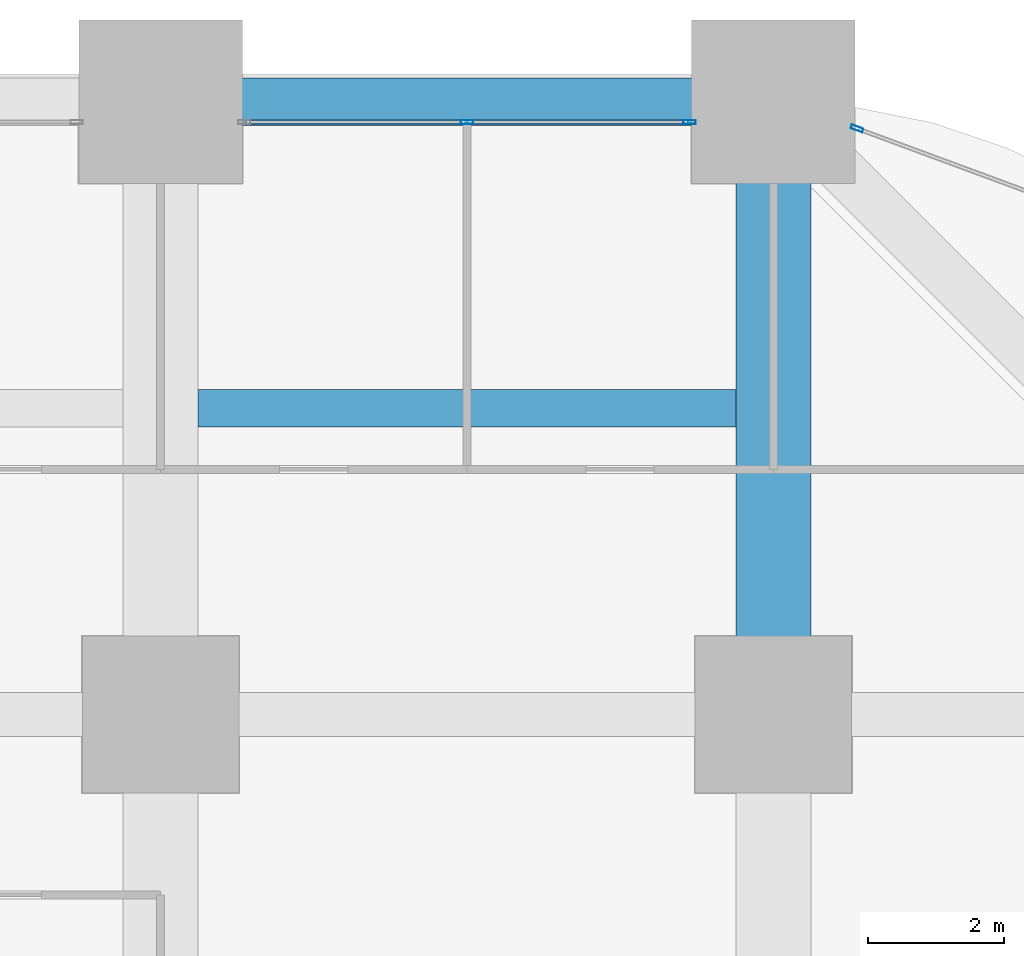
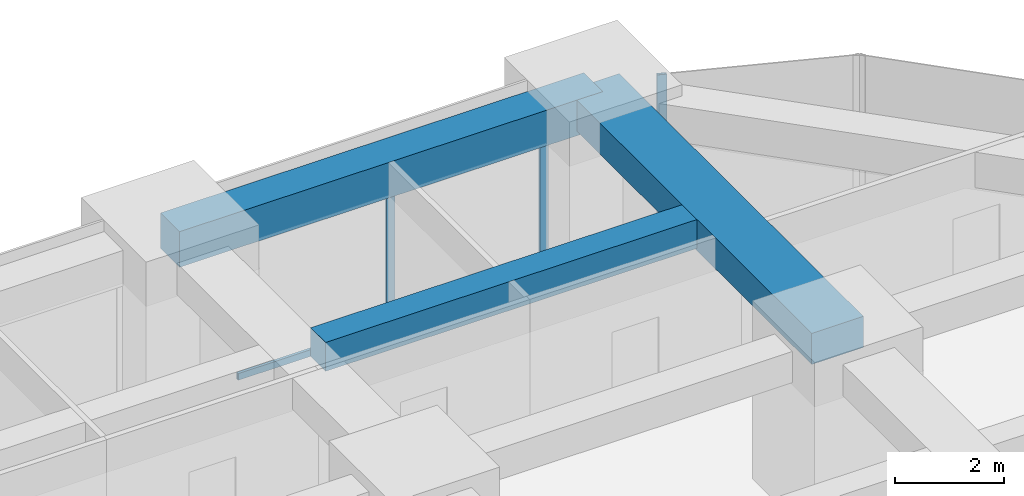
# One storey, part 36 of 44: 4 members, 3 beams, 2 elements without a shape of their own.
"""IFC4 building model written with IfcOpenShell, lengths in metres."""

from ifc_helpers import new_model, si_unit, direction, frame, origin, origin_2d, place, context, subcontext, project, spatial, rectangle, hollow_rectangle, extrude, material, material_profile, profile_set, type_object, element, aggregate, save


model = new_model("IFC4")

# Units and contexts
model_context = context("Model", 3, precision=1e-05, world=origin(), true_north=direction((0.0, 1.0)))
body_context = subcontext(model_context, "Body", "Model", "MODEL_VIEW")
ifc_project = project(units=[si_unit("LENGTHUNIT", "METRE"), si_unit("AREAUNIT", "SQUARE_METRE"), si_unit("VOLUMEUNIT", "CUBIC_METRE"), si_unit("PLANEANGLEUNIT", "RADIAN"), si_unit("MASSUNIT", "GRAM", prefix="KILO")], contexts=[model_context])

# Site, building, storey
site_placement = place(None, origin())
site = spatial("IfcSite", under=ifc_project, at=site_placement, CompositionType="ELEMENT")
building_placement = place(site_placement, origin())
building = spatial("IfcBuilding", under=site, at=building_placement, Name="Zorevar Civic Tower", CompositionType="ELEMENT")
storey_placement = place(building_placement, frame((0.0, 0.0, 43.800048828125)))
storey = spatial("IfcBuildingStorey", under=building, at=storey_placement, Name="L10", CompositionType="ELEMENT", Elevation=43.800048828125)

# Beams
ifc_material_1 = material(Name="Concrete C50/60", Category="concrete")
ifc_material_profile_1 = material_profile(ifc_material_1, rectangle(XDim=1.10009765625, YDim=0.699951171875, at=origin_2d()), Name="RC 1100x700")
ifc_profile_set_1 = profile_set([ifc_material_profile_1], Name="Concrete C50/60")
beam_type_1 = type_object("IfcBeamType", Name="Beam RC 1100x700", PredefinedType="BEAM", material=ifc_profile_set_1)
beam_1_placement = place(storey_placement, frame((54.0, 45.0, 3.39990234375), z_axis=(0.0, 1.0, 0.0), x_axis=(-1.0, 0.0, 0.0)))
element("IfcBeam", 1, at=beam_1_placement, inside=storey, type_object=beam_type_1, Name="Girder L11", PredefinedType="BEAM", context=body_context, shape_type="SweptSolid", body=[
    extrude(rectangle(XDim=1.10009765625, YDim=0.699951171875, at=origin_2d()), origin(), (0.0, 0.0, 1.0), 9.0),
])
ifc_material_2 = material(Name="Concrete C50/60", Category="concrete")
ifc_material_profile_2 = material_profile(ifc_material_2, rectangle(XDim=0.550048828125, YDim=0.64990234375, at=origin_2d()), Name="RC 550x650")
ifc_profile_set_2 = profile_set([ifc_material_profile_2], Name="Concrete C50/60")
beam_type_2 = type_object("IfcBeamType", Name="Beam RC 550x650", PredefinedType="BEAM", material=ifc_profile_set_2)
beam_2_placement = place(storey_placement, frame((45.550048828125, 49.5, 3.425048828125), z_axis=(1.0, 0.0, 0.0), x_axis=(0.0, 1.0, 0.0)))
element("IfcBeam", 2, at=beam_2_placement, inside=storey, type_object=beam_type_2, Name="Secondary beam L11", PredefinedType="BEAM", context=body_context, shape_type="SweptSolid", body=[
    extrude(rectangle(XDim=0.550048828125, YDim=0.64990234375, at=origin_2d()), origin(), (0.0, 0.0, 1.0), 7.89990234375),
])

# Curtain wall, members
ifc_material_3 = material(Name="Dark grey solar-control glass in black aluminium frame", Category="aluminium")
curtain_wall_type = type_object("IfcCurtainWallType", Name="Curtain wall CW2 low zone", PredefinedType="NOTDEFINED", material=ifc_material_3)
curtain_wall_1_placement = place(storey_placement, origin())
curtain_wall_1 = element("IfcCurtainWall", 3, at=curtain_wall_1_placement, inside=storey, type_object=curtain_wall_type, Name="CW2 L10", PredefinedType="NOTDEFINED")
ifc_material_4 = material(Name="Aluminium, black anodised", Category="aluminium")
ifc_material_profile_3 = material_profile(ifc_material_4, hollow_rectangle(XDim=0.06005859375, YDim=0.179931640625, WallThickness=0.00390625, at=origin_2d()), Name="AL 180x60x4")
ifc_profile_set_3 = profile_set([ifc_material_profile_3], Name="Aluminium, black anodised")
member_type_1 = type_object("IfcMemberType", Name="CW2 mullion AL 180x60x4", PredefinedType="MULLION", material=ifc_profile_set_3)
member_1_placement = place(storey_placement, frame((49.5, 53.699951171875, 0.06005859375), z_axis=(0.0, 0.0, 1.0), x_axis=(0.0, 1.0, 0.0)))
member_1 = element("IfcMember", 4, at=member_1_placement, type_object=member_type_1, Name="CW2 mullion 2", PredefinedType="MULLION", context=body_context, shape_type="SweptSolid", body=[
    extrude(hollow_rectangle(XDim=0.06005859375, YDim=0.179931640625, WallThickness=0.00390625, at=origin_2d()), origin(), (0.0, 0.0, 1.0), 2.889892578125),
])
member_2_placement = place(storey_placement, frame((52.77001953125, 53.699951171875, 0.0), z_axis=(0.0, 0.0, 1.0), x_axis=(0.0, 1.0, 0.0)))
member_2 = element("IfcMember", 5, at=member_2_placement, type_object=member_type_1, Name="CW2 mullion 3", PredefinedType="MULLION", context=body_context, shape_type="SweptSolid", body=[
    extrude(hollow_rectangle(XDim=0.06005859375, YDim=0.179931640625, WallThickness=0.00390625, at=origin_2d()), origin(), (0.0, 0.0, 1.0), 2.949951171875),
])

# Curtain wall, member
curtain_wall_2_placement = place(storey_placement, origin())
curtain_wall_2 = element("IfcCurtainWall", 6, at=curtain_wall_2_placement, inside=storey, type_object=curtain_wall_type, Name="CW2 L10", PredefinedType="NOTDEFINED")
member_3_placement = place(storey_placement, frame((55.22802734375, 53.6064453125, 0.0), z_axis=(0.0, 0.0, 1.0), x_axis=(-0.346704012033, -0.937974588163, 0.0)))
member_3 = element("IfcMember", 7, at=member_3_placement, type_object=member_type_1, Name="CW2 mullion 2", PredefinedType="MULLION", context=body_context, shape_type="SweptSolid", body=[
    extrude(hollow_rectangle(XDim=0.06005859375, YDim=0.179931640625, WallThickness=0.00390625, at=origin_2d()), origin(), (0.0, 0.0, 1.0), 3.75),
])
aggregate(curtain_wall_2, [member_3])

# Member
ifc_material_5 = material(Name="Aluminium, black anodised", Category="aluminium")
ifc_material_profile_4 = material_profile(ifc_material_5, hollow_rectangle(XDim=0.06005859375, YDim=0.14990234375, WallThickness=0.00390625, at=origin_2d()), Name="AL 150x60x4")
ifc_profile_set_4 = profile_set([ifc_material_profile_4], Name="Aluminium, black anodised")
member_type_2 = type_object("IfcMemberType", Name="CW2 transom AL 150x60x4", PredefinedType="USERDEFINED", material=ifc_profile_set_4)
member_4_placement = place(storey_placement, frame((46.260009765625, 53.699951171875, 0.030029296875), z_axis=(1.0, 0.0, 0.0), x_axis=(0.0, 1.0, 0.0)))
member_4 = element("IfcMember", 8, at=member_4_placement, type_object=member_type_2, Name="CW2 sill transom", ObjectType="TRANSOM", PredefinedType="USERDEFINED", context=body_context, shape_type="SweptSolid", body=[
    extrude(hollow_rectangle(XDim=0.06005859375, YDim=0.14990234375, WallThickness=0.00390625, at=origin_2d()), origin(), (0.0, 0.0, 1.0), 6.47998046875),
])

aggregate(curtain_wall_1, [member_1, member_2, member_4])

# Beam
ifc_material_6 = material(Name="Concrete C50/60", Category="concrete")
ifc_material_profile_5 = material_profile(ifc_material_6, rectangle(XDim=0.699951171875, YDim=0.800048828125, at=origin_2d()), Name="RC 700x800")
ifc_profile_set_5 = profile_set([ifc_material_profile_5], Name="Concrete C50/60")
beam_type_3 = type_object("IfcBeamType", Name="Edge beam RC 700x800", PredefinedType="SPANDREL", material=ifc_profile_set_5)
beam_3_placement = place(storey_placement, frame((45.0, 54.0, 3.349853515625), z_axis=(1.0, 0.0, 0.0), x_axis=(0.0, 1.0, 0.0)))
element("IfcBeam", 9, at=beam_3_placement, inside=storey, type_object=beam_type_3, Name="Edge beam L11", PredefinedType="SPANDREL", context=body_context, shape_type="SweptSolid", body=[
    extrude(rectangle(XDim=0.699951171875, YDim=0.800048828125, at=origin_2d()), origin(), (0.0, 0.0, 1.0), 9.0),
])

save(model, "model.ifc")
